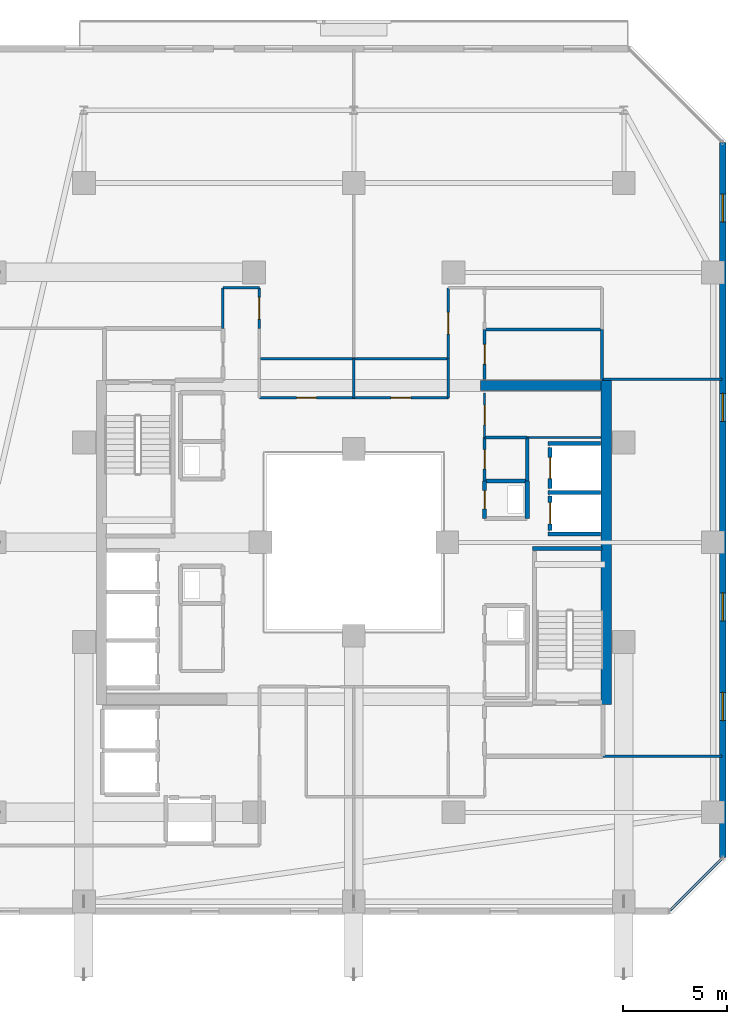
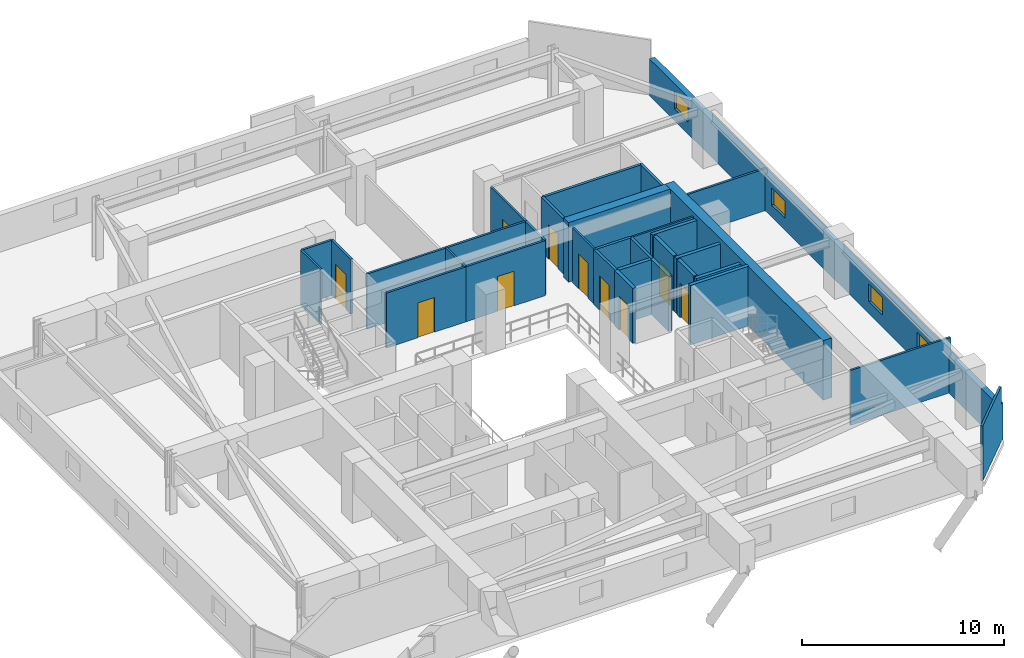
# One storey, part 28 of 36: 33 walls, 10 doors, 4 windows, 14 openings.
"""IFC4 building model written with IfcOpenShell, lengths in metres."""

from ifc_helpers import new_model, si_unit, direction, frame, frame_2d, origin, place, context, subcontext, project, spatial, rectangle, extrude, material, layer, layer_set, type_object, element, fill, save


model = new_model("IFC4")

# Units and contexts
model_context = context("Model", 3, precision=1e-05, world=origin(), true_north=direction((0.0, 1.0)))
body_context = subcontext(model_context, "Body", "Model", "MODEL_VIEW")
ifc_project = project(units=[si_unit("LENGTHUNIT", "METRE"), si_unit("AREAUNIT", "SQUARE_METRE"), si_unit("VOLUMEUNIT", "CUBIC_METRE"), si_unit("PLANEANGLEUNIT", "RADIAN"), si_unit("MASSUNIT", "GRAM", prefix="KILO")], contexts=[model_context])

# Site, building, storey
site_placement = place(None, origin())
site = spatial("IfcSite", under=ifc_project, at=site_placement, CompositionType="ELEMENT")
building_placement = place(site_placement, origin())
building = spatial("IfcBuilding", under=site, at=building_placement, Name="Thornwick Lancets Civic Towers", CompositionType="ELEMENT")
storey_placement = place(building_placement, frame((0.0, 0.0, 196.5)))
storey = spatial("IfcBuildingStorey", under=building, at=storey_placement, Name="L52", CompositionType="ELEMENT", Elevation=196.5)

# Wall, opening, door
ifc_material_1 = material(Name="Concrete blockwork C40/50", Category="masonry")
ifc_layer_1 = layer(ifc_material_1, 0.199951171875, Name="Concrete blockwork C40/50")
ifc_layer_set_1 = layer_set([ifc_layer_1], Name="Concrete blockwork C40/50")
wall_type_1 = type_object("IfcWallType", Name="WALL_COMP_200", PredefinedType="STANDARD", material=ifc_layer_set_1)
wall_1_placement = place(storey_placement, frame((97.949951171875, 29.219970703125, 0.0), z_axis=(0.0, 0.0, 1.0), x_axis=(0.0, -1.0, 0.0)))
wall_1 = element("IfcWall", 1, at=wall_1_placement, inside=storey, type_object=wall_type_1, Name="L52 Hoistway Front Wall FL-B1", PredefinedType="STANDARD", context=body_context, shape_type="SweptSolid", body=[
    extrude(rectangle(XDim=1.639892578125, YDim=0.199951171875, at=frame_2d((0.81982421875, 0.0))), origin(), (0.0, 0.0, 1.0), 3.320068359375),
])
opening_1_placement = place(wall_1_placement, frame((0.31005859375, 0.0, 0.0)))
opening_1 = element("IfcOpeningElement", 2, at=opening_1_placement, cuts=wall_1, Name="Opening LD-FL-B1", PredefinedType="OPENING", context=body_context, shape_type="SweptSolid", body=[
    extrude(rectangle(XDim=1.02001953125, YDim=2.06005859375, at=frame_2d((0.510009765625, 1.030029296875))), frame((0.0, 0.10986328125, 0.0), z_axis=(0.0, -1.0, 0.0), x_axis=(1.0, 0.0, 0.0)), (0.0, 0.0, 1.0), 0.219970703125),
])
ifc_material_2 = material(Name="Brushed bronze stainless steel", Category="steel")
door_type_1 = type_object("IfcDoorType", Name="DOOR_LIFT_SLIDE", OperationType="SLIDING_TO_LEFT", PredefinedType="DOOR", material=ifc_material_2)
door_1_placement = place(opening_1_placement, origin())
door_1 = element("IfcDoor", 3, at=door_1_placement, inside=storey, type_object=door_type_1, Name="L52 Sliding Lift Landing Door LD-FL-B1", OperationType="SLIDING_TO_LEFT", OverallHeight=2.06005859375, OverallWidth=1.02001953125, PredefinedType="DOOR", context=body_context, shape_type="SweptSolid", body=[
    extrude(rectangle(XDim=1.02001953125, YDim=2.06005859375, at=frame_2d((0.510009765625, 1.030029296875))), frame((0.0, 0.02490234375, 0.0), z_axis=(0.0, -1.0, 0.0), x_axis=(1.0, 0.0, 0.0)), (0.0, 0.0, 1.0), 0.050048828125),
])
fill(opening_1, door_1)

wall_2_placement = place(storey_placement, frame((97.949951171875, 31.570068359375, 0.0), z_axis=(0.0, 0.0, 1.0), x_axis=(0.0, -1.0, 0.0)))
wall_2 = element("IfcWall", 4, at=wall_2_placement, inside=storey, type_object=wall_type_1, Name="L52 Hoistway Front Wall PL-BH1", PredefinedType="STANDARD", context=body_context, shape_type="SweptSolid", body=[
    extrude(rectangle(XDim=1.989990234375, YDim=0.199951171875, at=frame_2d((0.9951171875, 0.0))), origin(), (0.0, 0.0, 1.0), 3.320068359375),
])
opening_2_placement = place(wall_2_placement, frame((0.485107421875, 0.0, 0.0)))
opening_2 = element("IfcOpeningElement", 5, at=opening_2_placement, cuts=wall_2, Name="Opening LD-PL-BH1", PredefinedType="OPENING", context=body_context, shape_type="SweptSolid", body=[
    extrude(rectangle(XDim=1.02001953125, YDim=2.06005859375, at=frame_2d((0.510009765625, 1.030029296875))), frame((0.0, 0.10986328125, 0.0), z_axis=(0.0, -1.0, 0.0), x_axis=(1.0, 0.0, 0.0)), (0.0, 0.0, 1.0), 0.219970703125),
])
door_2_placement = place(opening_2_placement, origin())
door_2 = element("IfcDoor", 6, at=door_2_placement, inside=storey, type_object=door_type_1, Name="L52 Sliding Lift Landing Door LD-PL-BH1", OperationType="SLIDING_TO_LEFT", OverallHeight=2.06005859375, OverallWidth=1.02001953125, PredefinedType="DOOR", context=body_context, shape_type="SweptSolid", body=[
    extrude(rectangle(XDim=1.02001953125, YDim=2.06005859375, at=frame_2d((0.510009765625, 1.030029296875))), frame((0.0, 0.02490234375, 0.0), z_axis=(0.0, -1.0, 0.0), x_axis=(1.0, 0.0, 0.0)), (0.0, 0.0, 1.0), 0.050048828125),
])
fill(opening_2, door_2)

# Walls
for number, where, z_axis, x_axis, name in (
    (7, (97.85205078125, 29.39990234375, 0.0), (0.0, 0.0, 1.0), (1.0, 0.0, 0.0), "L52 Hoistway Shaft Wall FL-B1 N"),
    (8, (97.85205078125, 27.39990234375, 0.0), (0.0, 0.0, 1.0), (1.0, 0.0, 0.0), "L52 Hoistway Shaft Wall FL-B1 S"),
    (9, (97.85205078125, 31.75, 0.0), (0.0, 0.0, 1.0), (1.0, 0.0, 0.0), "L52 Hoistway Shaft Wall PL-BH1 N"),
):
    element("IfcWall", number, at=place(storey_placement, frame(where, z_axis=z_axis, x_axis=x_axis)), inside=storey, type_object=wall_type_1, Name=name, PredefinedType="STANDARD", context=body_context, shape_type="SweptSolid", body=[
        extrude(rectangle(XDim=2.535888671875, YDim=0.199951171875, at=frame_2d((1.26806640625, 0.0))), origin(), (0.0, 0.0, 1.0), 3.320068359375),
    ])
wall_3_placement = place(storey_placement, frame((96.85009765625, 28.14990234375, 0.0), z_axis=(0.0, 0.0, 1.0), x_axis=(0.0, 1.0, 0.0)))
element("IfcWall", 10, at=wall_3_placement, inside=storey, type_object=wall_type_1, Name="L52 Partition L52-B-DUCT1 E2", PredefinedType="STANDARD", context=body_context, shape_type="SweptSolid", body=[
    extrude(rectangle(XDim=1.800048828125, YDim=0.199951171875, at=frame_2d((0.89990234375, 0.0))), origin(), (0.0, 0.0, 1.0), 3.320068359375),
])
wall_4_placement = place(storey_placement, frame((96.85009765625, 29.949951171875, 0.0), z_axis=(0.0, 0.0, 1.0), x_axis=(-1.0, 0.0, 0.0)))
element("IfcWall", 11, at=wall_4_placement, inside=storey, type_object=wall_type_1, Name="L52 Partition L52-B-DUCT1 E3", PredefinedType="STANDARD", context=body_context, shape_type="SweptSolid", body=[
    extrude(rectangle(XDim=2.050048828125, YDim=0.199951171875, at=frame_2d((1.02490234375, 0.0))), origin(), (0.0, 0.0, 1.0), 3.320068359375),
])

# Wall, opening, door
wall_5_placement = place(storey_placement, frame((94.800048828125, 29.949951171875, 0.0), z_axis=(0.0, 0.0, 1.0), x_axis=(0.0, -1.0, 0.0)))
wall_5 = element("IfcWall", 12, at=wall_5_placement, inside=storey, type_object=wall_type_1, Name="L52 Partition L52-B-DUCT1 E4", PredefinedType="STANDARD", context=body_context, shape_type="SweptSolid", body=[
    extrude(rectangle(XDim=1.800048828125, YDim=0.199951171875, at=frame_2d((0.89990234375, 0.0))), origin(), (0.0, 0.0, 1.0), 3.320068359375),
])
opening_3_placement = place(wall_5_placement, frame((0.4599609375, 0.0, 0.0)))
opening_3 = element("IfcOpeningElement", 13, at=opening_3_placement, cuts=wall_5, Name="Opening D-L52-2312", PredefinedType="OPENING", context=body_context, shape_type="SweptSolid", body=[
    extrude(rectangle(XDim=0.8798828125, YDim=2.0400390625, at=frame_2d((0.43994140625, 1.02001953125))), frame((0.0, 0.10986328125, 0.0), z_axis=(0.0, -1.0, 0.0), x_axis=(1.0, 0.0, 0.0)), (0.0, 0.0, 1.0), 0.219970703125),
])
ifc_material_3 = material(Name="Steel riser access doorset", Category="steel")
door_type_2 = type_object("IfcDoorType", Name="DOOR_RISER_850", OperationType="NOTDEFINED", PredefinedType="DOOR", material=ifc_material_3)
door_3_placement = place(opening_3_placement, origin())
door_3 = element("IfcDoor", 14, at=door_3_placement, inside=storey, type_object=door_type_2, Name="L52 East Service Duct 1 Door", OperationType="SINGLE_SWING_LEFT", OverallHeight=2.0400390625, OverallWidth=0.8798828125, PredefinedType="DOOR", context=body_context, shape_type="SweptSolid", body=[
    extrude(rectangle(XDim=0.8798828125, YDim=2.0400390625, at=frame_2d((0.43994140625, 1.02001953125))), frame((0.0, 0.02490234375, 0.0), z_axis=(0.0, -1.0, 0.0), x_axis=(1.0, 0.0, 0.0)), (0.0, 0.0, 1.0), 0.050048828125),
])
fill(opening_3, door_3)

# Walls
ifc_material_4 = material(Name="Concrete C50/60", Category="concrete")
ifc_layer_2 = layer(ifc_material_4, 0.5, Name="Concrete C50/60")
ifc_layer_set_2 = layer_set([ifc_layer_2], Name="Concrete C50/60")
wall_type_2 = type_object("IfcWallType", Name="WALL_CORE_500", PredefinedType="SHEAR", material=ifc_layer_set_2)
wall_6_placement = place(storey_placement, frame((100.64990234375, 19.199951171875, 0.0), z_axis=(0.0, 0.0, 1.0), x_axis=(0.0, 1.0, 0.0)))
element("IfcWall", 15, at=wall_6_placement, inside=storey, type_object=wall_type_2, Name="L52 Split Core B1 Shear Wall E", PredefinedType="SHEAR", context=body_context, shape_type="SweptSolid", body=[
    extrude(rectangle(XDim=15.60009765625, YDim=0.5, at=frame_2d((7.800048828125, 0.0))), origin(), (0.0, 0.0, 1.0), 3.60009765625),
])
wall_7_placement = place(storey_placement, frame((94.60009765625, 34.550048828125, 0.0), z_axis=(0.0, 0.0, 1.0), x_axis=(1.0, 0.0, 0.0)))
element("IfcWall", 16, at=wall_7_placement, inside=storey, type_object=wall_type_2, Name="L52 Split Core B1 Shear Wall N", PredefinedType="SHEAR", context=body_context, shape_type="SweptSolid", body=[
    extrude(rectangle(XDim=5.7998046875, YDim=0.5, at=frame_2d((2.89990234375, 0.0))), origin(), (0.0, 0.0, 1.0), 3.60009765625),
])

# Wall, openings, windows
ifc_material_5 = material(Name="Insulated buff terracotta rainscreen on concrete C40/50", Category="masonry")
ifc_layer_3 = layer(ifc_material_5, 0.320068359375, Name="Insulated buff terracotta rainscreen on concrete C40/50")
ifc_layer_set_3 = layer_set([ifc_layer_3], Name="Insulated buff terracotta rainscreen on concrete C40/50")
wall_type_3 = type_object("IfcWallType", Name="WALL_EXT_TERRA_320", PredefinedType="STANDARD", material=ifc_layer_set_3)
wall_8_placement = place(storey_placement, frame((106.2646484375, 11.818603515625, 0.0), z_axis=(0.0, 0.0, 1.0), x_axis=(-0.000184351399, 0.999999983007, 0.0)))
wall_8 = element("IfcWall", 17, at=wall_8_placement, inside=storey, type_object=wall_type_3, Name="L52 Tower B Terracotta Facade Wall E2", PredefinedType="STANDARD", context=body_context, shape_type="SweptSolid", body=[
    extrude(rectangle(XDim=34.432373046875, YDim=0.320068359375, at=frame_2d((17.21630859375, 0.0))), origin(), (0.0, 0.0, 1.0), 2.219970703125),
])
opening_4_placement = place(wall_8_placement, frame((6.60009765625, 0.0, 0.719970703125)))
opening_4 = element("IfcOpeningElement", 18, at=opening_4_placement, cuts=wall_8, Name="Opening WL-03", PredefinedType="OPENING", context=body_context, shape_type="SweptSolid", body=[
    extrude(rectangle(XDim=1.35009765625, YDim=1.050048828125, at=frame_2d((0.675048828125, 0.52490234375))), frame((0.0, 0.169921875, 0.0), z_axis=(0.0, -1.0, 0.0), x_axis=(1.0, 0.0, 0.0)), (0.0, 0.0, 1.0), 0.340087890625),
])
opening_5_placement = place(wall_8_placement, frame((11.39990234375, 0.0, 0.719970703125)))
opening_5 = element("IfcOpeningElement", 19, at=opening_5_placement, cuts=wall_8, Name="Opening WL-03", PredefinedType="OPENING", context=body_context, shape_type="SweptSolid", body=[
    extrude(rectangle(XDim=1.35009765625, YDim=1.050048828125, at=frame_2d((0.675048828125, 0.52490234375))), frame((0.0, 0.169921875, 0.0), z_axis=(0.0, -1.0, 0.0), x_axis=(1.0, 0.0, 0.0)), (0.0, 0.0, 1.0), 0.340087890625),
])
opening_6_placement = place(wall_8_placement, frame((21.0, 0.0, 0.719970703125)))
opening_6 = element("IfcOpeningElement", 20, at=opening_6_placement, cuts=wall_8, Name="Opening WL-03", PredefinedType="OPENING", context=body_context, shape_type="SweptSolid", body=[
    extrude(rectangle(XDim=1.35009765625, YDim=1.050048828125, at=frame_2d((0.675048828125, 0.52490234375))), frame((0.0, 0.169921875, 0.0), z_axis=(0.0, -1.0, 0.0), x_axis=(1.0, 0.0, 0.0)), (0.0, 0.0, 1.0), 0.340087890625),
])
opening_7_placement = place(wall_8_placement, frame((30.60009765625, 0.0, 0.719970703125)))
opening_7 = element("IfcOpeningElement", 21, at=opening_7_placement, cuts=wall_8, Name="Opening WL-03", PredefinedType="OPENING", context=body_context, shape_type="SweptSolid", body=[
    extrude(rectangle(XDim=1.35009765625, YDim=1.050048828125, at=frame_2d((0.675048828125, 0.52490234375))), frame((0.0, 0.169921875, 0.0), z_axis=(0.0, -1.0, 0.0), x_axis=(1.0, 0.0, 0.0)), (0.0, 0.0, 1.0), 0.340087890625),
])
ifc_material_6 = material(Name="Clear low-e double glazing clerestory lancet", Category="glass")
window_type = type_object("IfcWindowType", Name="WIN_LANCET_1350", PartitioningType="SINGLE_PANEL", PredefinedType="WINDOW", material=ifc_material_6)
window_1_placement = place(opening_4_placement, origin())
window_1 = element("IfcWindow", 22, at=window_1_placement, inside=storey, type_object=window_type, Name="L52 Tower B Staggered Lancet Window E2-1", OverallHeight=1.050048828125, OverallWidth=1.35009765625, PartitioningType="SINGLE_PANEL", PredefinedType="WINDOW", context=body_context, shape_type="SweptSolid", body=[
    extrude(rectangle(XDim=1.35009765625, YDim=1.050048828125, at=frame_2d((0.675048828125, 0.52490234375))), frame((0.0, 0.030029296875, 0.0), z_axis=(0.0, -1.0, 0.0), x_axis=(1.0, 0.0, 0.0)), (0.0, 0.0, 1.0), 0.06005859375),
])
fill(opening_4, window_1)
window_2_placement = place(opening_5_placement, origin())
window_2 = element("IfcWindow", 23, at=window_2_placement, inside=storey, type_object=window_type, Name="L52 Tower B Staggered Lancet Window E2-2", OverallHeight=1.050048828125, OverallWidth=1.35009765625, PartitioningType="SINGLE_PANEL", PredefinedType="WINDOW", context=body_context, shape_type="SweptSolid", body=[
    extrude(rectangle(XDim=1.35009765625, YDim=1.050048828125, at=frame_2d((0.675048828125, 0.52490234375))), frame((0.0, 0.030029296875, 0.0), z_axis=(0.0, -1.0, 0.0), x_axis=(1.0, 0.0, 0.0)), (0.0, 0.0, 1.0), 0.06005859375),
])
fill(opening_5, window_2)
window_3_placement = place(opening_6_placement, origin())
window_3 = element("IfcWindow", 24, at=window_3_placement, inside=storey, type_object=window_type, Name="L52 Tower B Staggered Lancet Window E2-3", OverallHeight=1.050048828125, OverallWidth=1.35009765625, PartitioningType="SINGLE_PANEL", PredefinedType="WINDOW", context=body_context, shape_type="SweptSolid", body=[
    extrude(rectangle(XDim=1.35009765625, YDim=1.050048828125, at=frame_2d((0.675048828125, 0.52490234375))), frame((0.0, 0.030029296875, 0.0), z_axis=(0.0, -1.0, 0.0), x_axis=(1.0, 0.0, 0.0)), (0.0, 0.0, 1.0), 0.06005859375),
])
fill(opening_6, window_3)
window_4_placement = place(opening_7_placement, origin())
window_4 = element("IfcWindow", 25, at=window_4_placement, inside=storey, type_object=window_type, Name="L52 Tower B Staggered Lancet Window E2-4", OverallHeight=1.050048828125, OverallWidth=1.35009765625, PartitioningType="SINGLE_PANEL", PredefinedType="WINDOW", context=body_context, shape_type="SweptSolid", body=[
    extrude(rectangle(XDim=1.35009765625, YDim=1.050048828125, at=frame_2d((0.675048828125, 0.52490234375))), frame((0.0, 0.030029296875, 0.0), z_axis=(0.0, -1.0, 0.0), x_axis=(1.0, 0.0, 0.0)), (0.0, 0.0, 1.0), 0.06005859375),
])
fill(opening_7, window_4)

# Wall, opening, door
ifc_material_7 = material(Name="Lightweight cellular office partition")
ifc_layer_4 = layer(ifc_material_7, 0.10009765625, Name="Lightweight cellular office partition")
ifc_layer_set_4 = layer_set([ifc_layer_4], Name="Lightweight cellular office partition")
wall_type_4 = type_object("IfcWallType", Name="WALL_PART_100", PredefinedType="PARTITIONING", material=ifc_layer_set_4)
wall_9_placement = place(storey_placement, frame((94.800048828125, 32.050048828125, 0.0), z_axis=(0.0, 0.0, 1.0), x_axis=(0.0, 1.0, 0.0)))
wall_9 = element("IfcWall", 26, at=wall_9_placement, inside=storey, type_object=wall_type_4, Name="L52 Partition L52-B-CLN E1", PredefinedType="PARTITIONING", context=body_context, shape_type="SweptSolid", body=[
    extrude(rectangle(XDim=2.14990234375, YDim=0.10009765625, at=frame_2d((1.074951171875, 0.0))), origin(), (0.0, 0.0, 1.0), 3.320068359375),
])
opening_8_placement = place(wall_9_placement, frame((0.60009765625, 0.0, 0.0)))
opening_8 = element("IfcOpeningElement", 27, at=opening_8_placement, cuts=wall_9, Name="Opening D-L52-2318", PredefinedType="OPENING", context=body_context, shape_type="SweptSolid", body=[
    extrude(rectangle(XDim=0.949951171875, YDim=2.10009765625, at=frame_2d((0.47509765625, 1.050048828125))), frame((0.0, 0.06005859375, 0.0), z_axis=(0.0, -1.0, 0.0), x_axis=(1.0, 0.0, 0.0)), (0.0, 0.0, 1.0), 0.1201171875),
])
ifc_material_8 = material(Name="European oak acoustic doorset")
door_type_3 = type_object("IfcDoorType", Name="DOOR_OFFICE_950", OperationType="NOTDEFINED", PredefinedType="DOOR", material=ifc_material_8)
door_4_placement = place(opening_8_placement, origin())
door_4 = element("IfcDoor", 28, at=door_4_placement, inside=storey, type_object=door_type_3, Name="L52 Tower B Cleaners Store Door", OperationType="SINGLE_SWING_LEFT", OverallHeight=2.10009765625, OverallWidth=0.949951171875, PredefinedType="DOOR", context=body_context, shape_type="SweptSolid", body=[
    extrude(rectangle(XDim=0.949951171875, YDim=2.10009765625, at=frame_2d((0.47509765625, 1.050048828125))), frame((0.0, 0.02490234375, 0.0), z_axis=(0.0, -1.0, 0.0), x_axis=(1.0, 0.0, 0.0)), (0.0, 0.0, 1.0), 0.050048828125),
])
fill(opening_8, door_4)

# Walls
wall_10_placement = place(storey_placement, frame((100.39990234375, 32.050048828125, 0.0), z_axis=(0.0, 0.0, 1.0), x_axis=(-1.0, 0.0, 0.0)))
element("IfcWall", 29, at=wall_10_placement, inside=storey, type_object=wall_type_4, Name="L52 Partition L52-B-CLN E4", PredefinedType="PARTITIONING", context=body_context, shape_type="SweptSolid", body=[
    extrude(rectangle(XDim=3.5498046875, YDim=0.10009765625, at=frame_2d((1.77490234375, 0.0))), origin(), (0.0, 0.0, 1.0), 3.320068359375),
])
ifc_material_9 = material(Name="Acoustic gypsum board partition")
ifc_layer_5 = layer(ifc_material_9, 0.1201171875, Name="Acoustic gypsum board partition")
ifc_layer_set_5 = layer_set([ifc_layer_5], Name="Acoustic gypsum board partition")
wall_type_5 = type_object("IfcWallType", Name="WALL_PART_120", PredefinedType="PARTITIONING", material=ifc_layer_set_5)
wall_11_placement = place(storey_placement, frame((100.5, 16.699951171875, 0.0), z_axis=(0.0, 0.0, 1.0), x_axis=(1.0, 0.0, 0.0)))
element("IfcWall", 30, at=wall_11_placement, inside=storey, type_object=wall_type_5, Name="L52 Partition L52-B-W1 E7", PredefinedType="PARTITIONING", context=body_context, shape_type="SweptSolid", body=[
    extrude(rectangle(XDim=5.719970703125, YDim=0.1201171875, at=frame_2d((2.85986328125, 0.0))), origin(), (0.0, 0.0, 1.0), 3.320068359375),
])
wall_12_placement = place(storey_placement, frame((106.219970703125, 11.774658203125, 0.0), z_axis=(0.0, 0.0, 1.0), x_axis=(-0.707106781187, -0.707106781187, 0.0)))
element("IfcWall", 31, at=wall_12_placement, inside=storey, type_object=wall_type_5, Name="L52 Partition L52-B-W1 E9", PredefinedType="PARTITIONING", context=body_context, shape_type="SweptSolid", body=[
    extrude(rectangle(XDim=3.52783203125, YDim=0.1201171875, at=frame_2d((1.763916015625, 0.0))), origin(), (0.0, 0.0, 1.0), 3.320068359375),
])
wall_13_placement = place(storey_placement, frame((88.5, 33.949951171875, 0.0), z_axis=(0.0, 0.0, 1.0), x_axis=(0.0, 1.0, 0.0)))
element("IfcWall", 32, at=wall_13_placement, inside=storey, type_object=wall_type_5, Name="L52 Partition L52-B-E1 E1", PredefinedType="PARTITIONING", context=body_context, shape_type="SweptSolid", body=[
    extrude(rectangle(XDim=1.900146484375, YDim=0.1201171875, at=frame_2d((0.9501953125, 0.0))), origin(), (0.0, 0.0, 1.0), 3.320068359375),
])
wall_14_placement = place(storey_placement, frame((88.5, 35.85009765625, 0.0), z_axis=(0.0, 0.0, 1.0), x_axis=(1.0, 0.0, 0.0)))
element("IfcWall", 33, at=wall_14_placement, inside=storey, type_object=wall_type_5, Name="L52 Partition L52-B-E1 E2", PredefinedType="PARTITIONING", context=body_context, shape_type="SweptSolid", body=[
    extrude(rectangle(XDim=4.550048828125, YDim=0.1201171875, at=frame_2d((2.27490234375, 0.0))), origin(), (0.0, 0.0, 1.0), 3.320068359375),
])
wall_15_placement = place(storey_placement, frame((93.050048828125, 35.85009765625, 0.0), z_axis=(0.0, 0.0, 1.0), x_axis=(0.0, -1.0, 0.0)))
element("IfcWall", 34, at=wall_15_placement, inside=storey, type_object=wall_type_5, Name="L52 Partition L52-B-E1 E3", PredefinedType="PARTITIONING", context=body_context, shape_type="SweptSolid", body=[
    extrude(rectangle(XDim=1.900146484375, YDim=0.1201171875, at=frame_2d((0.9501953125, 0.0))), origin(), (0.0, 0.0, 1.0), 3.320068359375),
])

# Wall, opening, door
wall_16_placement = place(storey_placement, frame((93.050048828125, 33.949951171875, 0.0), z_axis=(0.0, 0.0, 1.0), x_axis=(-1.0, 0.0, 0.0)))
wall_16 = element("IfcWall", 35, at=wall_16_placement, inside=storey, type_object=wall_type_5, Name="L52 Partition L52-B-E1 E4", PredefinedType="PARTITIONING", context=body_context, shape_type="SweptSolid", body=[
    extrude(rectangle(XDim=4.550048828125, YDim=0.1201171875, at=frame_2d((2.27490234375, 0.0))), origin(), (0.0, 0.0, 1.0), 3.320068359375),
])
opening_9_placement = place(wall_16_placement, frame((1.800048828125, 0.0, 0.0)))
opening_9 = element("IfcOpeningElement", 36, at=opening_9_placement, cuts=wall_16, Name="Opening D-L52-2337", PredefinedType="OPENING", context=body_context, shape_type="SweptSolid", body=[
    extrude(rectangle(XDim=0.949951171875, YDim=2.10009765625, at=frame_2d((0.47509765625, 1.050048828125))), frame((0.0, 0.070068359375, 0.0), z_axis=(0.0, -1.0, 0.0), x_axis=(1.0, 0.0, 0.0)), (0.0, 0.0, 1.0), 0.14013671875),
])
door_5_placement = place(opening_9_placement, origin())
door_5 = element("IfcDoor", 37, at=door_5_placement, inside=storey, type_object=door_type_3, Name="L52 Tower B Visitors Reception and Waiting Door", OperationType="SINGLE_SWING_RIGHT", OverallHeight=2.10009765625, OverallWidth=0.949951171875, PredefinedType="DOOR", context=body_context, shape_type="SweptSolid", body=[
    extrude(rectangle(XDim=0.949951171875, YDim=2.10009765625, at=frame_2d((0.47509765625, 1.050048828125))), frame((0.0, 0.02490234375, 0.0), z_axis=(0.0, -1.0, 0.0), x_axis=(1.0, 0.0, 0.0)), (0.0, 0.0, 1.0), 0.050048828125),
])
fill(opening_9, door_5)

wall_17_placement = place(storey_placement, frame((93.050048828125, 39.25, 0.0), z_axis=(0.0, 0.0, 1.0), x_axis=(0.0, -1.0, 0.0)))
wall_17 = element("IfcWall", 38, at=wall_17_placement, inside=storey, type_object=wall_type_5, Name="L52 Partition L52-B-E2 E5", PredefinedType="PARTITIONING", context=body_context, shape_type="SweptSolid", body=[
    extrude(rectangle(XDim=3.39990234375, YDim=0.1201171875, at=frame_2d((1.699951171875, 0.0))), origin(), (0.0, 0.0, 1.0), 3.320068359375),
])
opening_10_placement = place(wall_17_placement, frame((1.175048828125, 0.0, 0.0)))
opening_10 = element("IfcOpeningElement", 39, at=opening_10_placement, cuts=wall_17, Name="Opening D-L52-2338", PredefinedType="OPENING", context=body_context, shape_type="SweptSolid", body=[
    extrude(rectangle(XDim=1.050048828125, YDim=2.10009765625, at=frame_2d((0.52490234375, 1.050048828125))), frame((0.0, 0.070068359375, 0.0), z_axis=(0.0, -1.0, 0.0), x_axis=(1.0, 0.0, 0.0)), (0.0, 0.0, 1.0), 0.14013671875),
])
ifc_material_10 = material(Name="Glazed European oak executive doorset")
door_type_4 = type_object("IfcDoorType", Name="DOOR_OFFICE_1050", OperationType="NOTDEFINED", PredefinedType="DOOR", material=ifc_material_10)
door_6_placement = place(opening_10_placement, origin())
door_6 = element("IfcDoor", 40, at=door_6_placement, inside=storey, type_object=door_type_4, Name="L52 Tower B Secretariat Open Office E1 Door", OperationType="SINGLE_SWING_LEFT", OverallHeight=2.10009765625, OverallWidth=1.050048828125, PredefinedType="DOOR", context=body_context, shape_type="SweptSolid", body=[
    extrude(rectangle(XDim=1.050048828125, YDim=2.10009765625, at=frame_2d((0.52490234375, 1.050048828125))), frame((0.0, 0.02490234375, 0.0), z_axis=(0.0, -1.0, 0.0), x_axis=(1.0, 0.0, 0.0)), (0.0, 0.0, 1.0), 0.050048828125),
])
fill(opening_10, door_6)

# Walls
wall_18_placement = place(storey_placement, frame((106.219970703125, 34.85009765625, 0.0), z_axis=(0.0, 0.0, 1.0), x_axis=(-1.0, 0.0, 0.0)))
element("IfcWall", 41, at=wall_18_placement, inside=storey, type_object=wall_type_5, Name="L52 Partition L52-B-E2 E11", PredefinedType="PARTITIONING", context=body_context, shape_type="SweptSolid", body=[
    extrude(rectangle(XDim=5.77001953125, YDim=0.1201171875, at=frame_2d((2.885009765625, 0.0))), origin(), (0.0, 0.0, 1.0), 2.52490234375),
])
wall_19_placement = place(storey_placement, frame((83.949951171875, 35.85009765625, 0.0), z_axis=(0.0, 0.0, 1.0), x_axis=(1.0, 0.0, 0.0)))
element("IfcWall", 42, at=wall_19_placement, inside=storey, type_object=wall_type_5, Name="L52 Partition L52-B-E3 E2", PredefinedType="PARTITIONING", context=body_context, shape_type="SweptSolid", body=[
    extrude(rectangle(XDim=4.550048828125, YDim=0.1201171875, at=frame_2d((2.27490234375, 0.0))), origin(), (0.0, 0.0, 1.0), 3.320068359375),
])

# Wall, opening, door
wall_20_placement = place(storey_placement, frame((88.5, 33.949951171875, 0.0), z_axis=(0.0, 0.0, 1.0), x_axis=(-1.0, 0.0, 0.0)))
wall_20 = element("IfcWall", 43, at=wall_20_placement, inside=storey, type_object=wall_type_5, Name="L52 Partition L52-B-E3 E4", PredefinedType="PARTITIONING", context=body_context, shape_type="SweptSolid", body=[
    extrude(rectangle(XDim=4.550048828125, YDim=0.1201171875, at=frame_2d((2.27490234375, 0.0))), origin(), (0.0, 0.0, 1.0), 3.320068359375),
])
opening_11_placement = place(wall_20_placement, frame((1.800048828125, 0.0, 0.0)))
opening_11 = element("IfcOpeningElement", 44, at=opening_11_placement, cuts=wall_20, Name="Opening D-L52-2339", PredefinedType="OPENING", context=body_context, shape_type="SweptSolid", body=[
    extrude(rectangle(XDim=0.949951171875, YDim=2.10009765625, at=frame_2d((0.47509765625, 1.050048828125))), frame((0.0, 0.070068359375, 0.0), z_axis=(0.0, -1.0, 0.0), x_axis=(1.0, 0.0, 0.0)), (0.0, 0.0, 1.0), 0.14013671875),
])
door_7_placement = place(opening_11_placement, origin())
door_7 = element("IfcDoor", 45, at=door_7_placement, inside=storey, type_object=door_type_3, Name="L52 Tower B Civic Seminar Room Door", OperationType="SINGLE_SWING_RIGHT", OverallHeight=2.10009765625, OverallWidth=0.949951171875, PredefinedType="DOOR", context=body_context, shape_type="SweptSolid", body=[
    extrude(rectangle(XDim=0.949951171875, YDim=2.10009765625, at=frame_2d((0.47509765625, 1.050048828125))), frame((0.0, 0.02490234375, 0.0), z_axis=(0.0, -1.0, 0.0), x_axis=(1.0, 0.0, 0.0)), (0.0, 0.0, 1.0), 0.050048828125),
])
fill(opening_11, door_7)

wall_21_placement = place(storey_placement, frame((83.949951171875, 37.300048828125, 0.0), z_axis=(0.0, 0.0, 1.0), x_axis=(0.0, 1.0, 0.0)))
wall_21 = element("IfcWall", 46, at=wall_21_placement, inside=storey, type_object=wall_type_5, Name="L52 Partition L52-B-E4 E2", PredefinedType="PARTITIONING", context=body_context, shape_type="SweptSolid", body=[
    extrude(rectangle(XDim=1.949951171875, YDim=0.1201171875, at=frame_2d((0.97509765625, 0.0))), origin(), (0.0, 0.0, 1.0), 3.320068359375),
])
opening_12_placement = place(wall_21_placement, frame((0.449951171875, 0.0, 0.0)))
opening_12 = element("IfcOpeningElement", 47, at=opening_12_placement, cuts=wall_21, Name="Opening D-L52-2340", PredefinedType="OPENING", context=body_context, shape_type="SweptSolid", body=[
    extrude(rectangle(XDim=1.050048828125, YDim=2.10009765625, at=frame_2d((0.52490234375, 1.050048828125))), frame((0.0, 0.070068359375, 0.0), z_axis=(0.0, -1.0, 0.0), x_axis=(1.0, 0.0, 0.0)), (0.0, 0.0, 1.0), 0.14013671875),
])
door_8_placement = place(opening_12_placement, origin())
door_8 = element("IfcDoor", 48, at=door_8_placement, inside=storey, type_object=door_type_4, Name="L52 Tower B Counsel Chambers Office E4 Door", OperationType="SINGLE_SWING_LEFT", OverallHeight=2.10009765625, OverallWidth=1.050048828125, PredefinedType="DOOR", context=body_context, shape_type="SweptSolid", body=[
    extrude(rectangle(XDim=1.050048828125, YDim=2.10009765625, at=frame_2d((0.52490234375, 1.050048828125))), frame((0.0, 0.02490234375, 0.0), z_axis=(0.0, -1.0, 0.0), x_axis=(1.0, 0.0, 0.0)), (0.0, 0.0, 1.0), 0.050048828125),
])
fill(opening_12, door_8)

# Walls
wall_22_placement = place(storey_placement, frame((83.949951171875, 39.25, 0.0), z_axis=(0.0, 0.0, 1.0), x_axis=(-1.0, 0.0, 0.0)))
element("IfcWall", 49, at=wall_22_placement, inside=storey, type_object=wall_type_5, Name="L52 Partition L52-B-E4 E3", PredefinedType="PARTITIONING", context=body_context, shape_type="SweptSolid", body=[
    extrude(rectangle(XDim=1.75, YDim=0.1201171875, at=frame_2d((0.875, 0.0))), origin(), (0.0, 0.0, 1.0), 3.320068359375),
])
wall_23_placement = place(storey_placement, frame((82.199951171875, 39.25, 0.0), z_axis=(0.0, 0.0, 1.0), x_axis=(0.0, -1.0, 0.0)))
element("IfcWall", 50, at=wall_23_placement, inside=storey, type_object=wall_type_5, Name="L52 Partition L52-B-E4 E4", PredefinedType="PARTITIONING", context=body_context, shape_type="SweptSolid", body=[
    extrude(rectangle(XDim=1.949951171875, YDim=0.1201171875, at=frame_2d((0.97509765625, 0.0))), origin(), (0.0, 0.0, 1.0), 3.320068359375),
])

# Wall, opening, door
ifc_material_11 = material(Name="Twin-stud acoustic gypsum board")
ifc_layer_6 = layer(ifc_material_11, 0.14990234375, Name="Twin-stud acoustic gypsum board")
ifc_layer_set_6 = layer_set([ifc_layer_6], Name="Twin-stud acoustic gypsum board")
wall_type_6 = type_object("IfcWallType", Name="WALL_PART_150", PredefinedType="PARTITIONING", material=ifc_layer_set_6)
wall_24_placement = place(storey_placement, frame((94.800048828125, 29.949951171875, 0.0), z_axis=(0.0, 0.0, 1.0), x_axis=(0.0, 1.0, 0.0)))
wall_24 = element("IfcWall", 51, at=wall_24_placement, inside=storey, type_object=wall_type_6, Name="L52 Partition L52-B-MWC E1", PredefinedType="PARTITIONING", context=body_context, shape_type="SweptSolid", body=[
    extrude(rectangle(XDim=2.10009765625, YDim=0.14990234375, at=frame_2d((1.050048828125, 0.0))), origin(), (0.0, 0.0, 1.0), 3.320068359375),
])
opening_13_placement = place(wall_24_placement, frame((0.590087890625, 0.0, 0.0)))
opening_13 = element("IfcOpeningElement", 52, at=opening_13_placement, cuts=wall_24, Name="Opening D-L52-2317", PredefinedType="OPENING", context=body_context, shape_type="SweptSolid", body=[
    extrude(rectangle(XDim=0.919921875, YDim=2.080078125, at=frame_2d((0.4599609375, 1.0400390625))), frame((0.0, 0.0849609375, 0.0), z_axis=(0.0, -1.0, 0.0), x_axis=(1.0, 0.0, 0.0)), (0.0, 0.0, 1.0), 0.169921875),
])
ifc_material_12 = material(Name="Moisture-resistant oak doorset")
door_type_5 = type_object("IfcDoorType", Name="DOOR_WC_900", OperationType="NOTDEFINED", PredefinedType="DOOR", material=ifc_material_12)
door_9_placement = place(opening_13_placement, origin())
door_9 = element("IfcDoor", 53, at=door_9_placement, inside=storey, type_object=door_type_5, Name="L52 Tower B Male WC Door", OperationType="SINGLE_SWING_RIGHT", OverallHeight=2.080078125, OverallWidth=0.919921875, PredefinedType="DOOR", context=body_context, shape_type="SweptSolid", body=[
    extrude(rectangle(XDim=0.919921875, YDim=2.080078125, at=frame_2d((0.4599609375, 1.0400390625))), frame((0.0, 0.02490234375, 0.0), z_axis=(0.0, -1.0, 0.0), x_axis=(1.0, 0.0, 0.0)), (0.0, 0.0, 1.0), 0.050048828125),
])
fill(opening_13, door_9)

# Walls
wall_25_placement = place(storey_placement, frame((94.800048828125, 32.050048828125, 0.0), z_axis=(0.0, 0.0, 1.0), x_axis=(1.0, 0.0, 0.0)))
element("IfcWall", 54, at=wall_25_placement, inside=storey, type_object=wall_type_6, Name="L52 Partition L52-B-MWC E2", PredefinedType="PARTITIONING", context=body_context, shape_type="SweptSolid", body=[
    extrude(rectangle(XDim=2.050048828125, YDim=0.14990234375, at=frame_2d((1.02490234375, 0.0))), origin(), (0.0, 0.0, 1.0), 3.320068359375),
])
wall_26_placement = place(storey_placement, frame((96.85009765625, 32.050048828125, 0.0), z_axis=(0.0, 0.0, 1.0), x_axis=(0.0, -1.0, 0.0)))
element("IfcWall", 55, at=wall_26_placement, inside=storey, type_object=wall_type_6, Name="L52 Partition L52-B-MWC E3", PredefinedType="PARTITIONING", context=body_context, shape_type="SweptSolid", body=[
    extrude(rectangle(XDim=2.10009765625, YDim=0.14990234375, at=frame_2d((1.050048828125, 0.0))), origin(), (0.0, 0.0, 1.0), 3.320068359375),
])
wall_27_placement = place(storey_placement, frame((100.449951171875, 37.25, 0.0), z_axis=(0.0, 0.0, 1.0), x_axis=(0.0, -1.0, 0.0)))
element("IfcWall", 56, at=wall_27_placement, inside=storey, type_object=wall_type_6, Name="L52 Partition L52-B-RECLAIM-L1 E1", PredefinedType="PARTITIONING", context=body_context, shape_type="SweptSolid", body=[
    extrude(rectangle(XDim=2.39990234375, YDim=0.14990234375, at=frame_2d((1.199951171875, 0.0))), origin(), (0.0, 0.0, 1.0), 3.320068359375),
])

# Wall, opening, door
wall_28_placement = place(storey_placement, frame((94.800048828125, 34.85009765625, 0.0), z_axis=(0.0, 0.0, 1.0), x_axis=(0.0, 1.0, 0.0)))
wall_28 = element("IfcWall", 57, at=wall_28_placement, inside=storey, type_object=wall_type_6, Name="L52 Partition L52-B-RECLAIM-L1 E3", PredefinedType="PARTITIONING", context=body_context, shape_type="SweptSolid", body=[
    extrude(rectangle(XDim=2.39990234375, YDim=0.14990234375, at=frame_2d((1.199951171875, 0.0))), origin(), (0.0, 0.0, 1.0), 3.320068359375),
])
opening_14_placement = place(wall_28_placement, frame((0.72509765625, 0.0, 0.0)))
opening_14 = element("IfcOpeningElement", 58, at=opening_14_placement, cuts=wall_28, Name="Opening D-L52-2331", PredefinedType="OPENING", context=body_context, shape_type="SweptSolid", body=[
    extrude(rectangle(XDim=0.949951171875, YDim=2.10009765625, at=frame_2d((0.47509765625, 1.050048828125))), frame((0.0, 0.0849609375, 0.0), z_axis=(0.0, -1.0, 0.0), x_axis=(1.0, 0.0, 0.0)), (0.0, 0.0, 1.0), 0.169921875),
])
door_10_placement = place(opening_14_placement, origin())
door_10 = element("IfcDoor", 59, at=door_10_placement, inside=storey, type_object=door_type_3, Name="L52 Tower B Policy Archive Door", OperationType="SINGLE_SWING_RIGHT", OverallHeight=2.10009765625, OverallWidth=0.949951171875, PredefinedType="DOOR", context=body_context, shape_type="SweptSolid", body=[
    extrude(rectangle(XDim=0.949951171875, YDim=2.10009765625, at=frame_2d((0.47509765625, 1.050048828125))), frame((0.0, 0.02490234375, 0.0), z_axis=(0.0, -1.0, 0.0), x_axis=(1.0, 0.0, 0.0)), (0.0, 0.0, 1.0), 0.050048828125),
])
fill(opening_14, door_10)

# Walls
wall_29_placement = place(storey_placement, frame((94.800048828125, 37.25, 0.0), z_axis=(0.0, 0.0, 1.0), x_axis=(1.0, 0.0, 0.0)))
element("IfcWall", 60, at=wall_29_placement, inside=storey, type_object=wall_type_6, Name="L52 Partition L52-B-RECLAIM-L1 E4", PredefinedType="PARTITIONING", context=body_context, shape_type="SweptSolid", body=[
    extrude(rectangle(XDim=5.64990234375, YDim=0.14990234375, at=frame_2d((2.824951171875, 0.0))), origin(), (0.0, 0.0, 1.0), 3.320068359375),
])
ifc_material_13 = material(Name="Concrete C40/50", Category="concrete")
ifc_layer_7 = layer(ifc_material_13, 0.199951171875, Name="Concrete C40/50")
ifc_layer_set_7 = layer_set([ifc_layer_7], Name="Concrete C40/50")
wall_type_7 = type_object("IfcWallType", Name="WALL_SHAFT_200", PredefinedType="SHEAR", material=ifc_layer_set_7)
wall_30_placement = place(storey_placement, frame((97.10009765625, 26.699951171875, 0.0), z_axis=(0.0, 0.0, 1.0), x_axis=(1.0, 0.0, 0.0)))
element("IfcWall", 61, at=wall_30_placement, inside=storey, type_object=wall_type_7, Name="L52 ST-B1 Fire Stair Core Wall FAR", PredefinedType="SHEAR", context=body_context, shape_type="SweptSolid", body=[
    extrude(rectangle(XDim=3.349853515625, YDim=0.199951171875, at=frame_2d((1.6748046875, 0.0))), origin(), (0.0, 0.0, 1.0), 3.60009765625),
])

save(model, "model.ifc")
